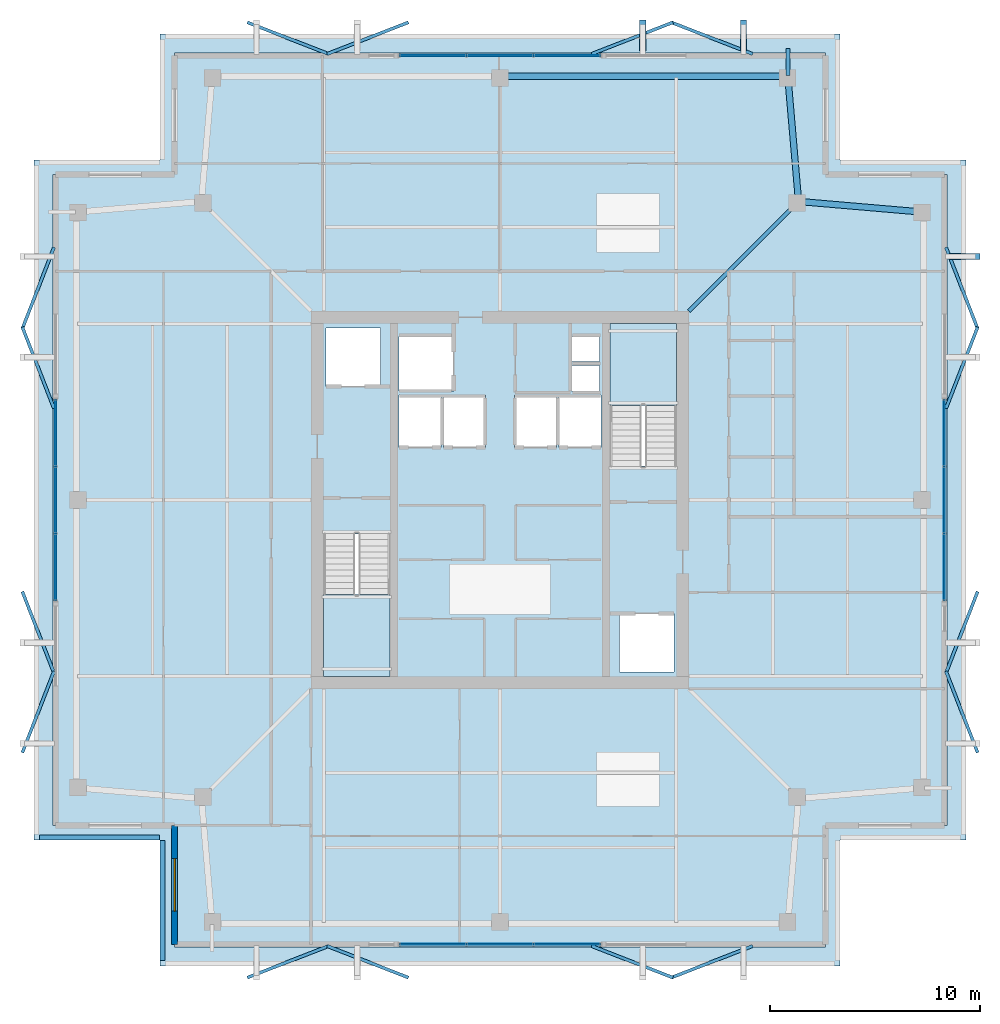
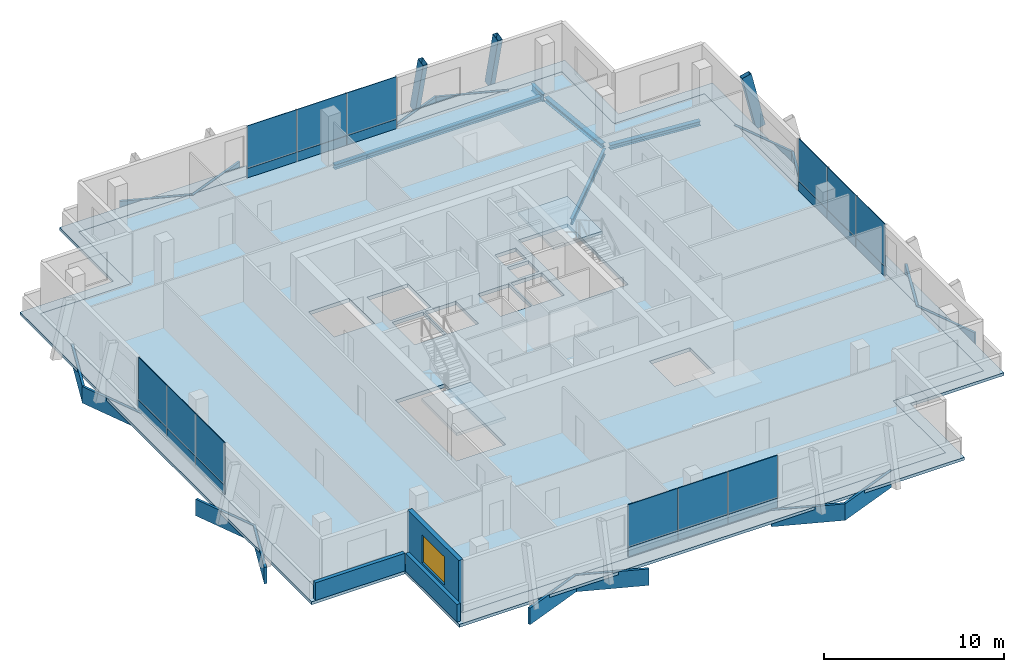
# One storey, part 13 of 18: 40 plates, 5 beams, 4 slabs, 3 members, 3 walls, 1 window, 1 opening, 6 elements without a shape of their own.
"""IFC4 building model written with IfcOpenShell, lengths in metres."""

from ifc_helpers import new_model, si_unit, direction, frame, frame_2d, origin, origin_2d, place, context, subcontext, project, spatial, polyline, rectangle, hollow_rectangle, i_section, outline, extrude, material, layer, layer_set, material_profile, profile_set, type_object, element, fill, aggregate, save


model = new_model("IFC4")

# Units and contexts
model_context = context("Model", 3, precision=1e-05, world=origin(), true_north=direction((0.0, 1.0)))
body_context = subcontext(model_context, "Body", "Model", "MODEL_VIEW")
ifc_project = project(units=[si_unit("LENGTHUNIT", "METRE"), si_unit("AREAUNIT", "SQUARE_METRE"), si_unit("VOLUMEUNIT", "CUBIC_METRE"), si_unit("PLANEANGLEUNIT", "RADIAN"), si_unit("MASSUNIT", "GRAM", prefix="KILO")], contexts=[model_context])

# Site, building, storey
site_placement = place(None, origin())
site = spatial("IfcSite", under=ifc_project, at=site_placement, CompositionType="ELEMENT")
building_placement = place(site_placement, origin())
building = spatial("IfcBuilding", under=site, at=building_placement, Name="Belovzor Exchange Tower", CompositionType="ELEMENT")
storey_placement = place(building_placement, frame((0.0, 0.0, 344.25)))
storey = spatial("IfcBuildingStorey", under=building, at=storey_placement, Name="L86", CompositionType="ELEMENT", Elevation=344.25)

# Beam
ifc_material_1 = material(Name="Steel S355", Category="steel")
ifc_material_profile_1 = material_profile(ifc_material_1, i_section(OverallWidth=0.199951171875, OverallDepth=0.5, WebThickness=0.01025390625, FlangeThickness=0.01611328125, at=origin_2d()))
ifc_profile_set_1 = profile_set([ifc_material_profile_1], Name="Steel S355")
beam_type_1 = type_object("IfcBeamType", Name="Planted Balcony Cantilever Beam IPE 500", PredefinedType="BEAM", material=ifc_profile_set_1)
beam_1_placement = place(storey_placement, frame((42.512939453125, 49.01806640625, -0.489990234375), z_axis=(0.0, 1.0, 0.0), x_axis=(-1.0, 0.0, 0.0)))
element("IfcBeam", 1, at=beam_1_placement, inside=storey, type_object=beam_type_1, Name="BC-500 Planted Balcony Cantilever Beam IPE 500", PredefinedType="BEAM", context=body_context, shape_type="SweptSolid", body=[
    extrude(i_section(OverallWidth=0.199951171875, OverallDepth=0.5, WebThickness=0.01025390625, FlangeThickness=0.01611328125, at=origin_2d()), origin(), (0.0, 0.0, 1.0), 1.281982421875),
])

# Members
ifc_material_2 = material(Name="Extruded Architectural Terracotta on Steel S355 Carrier", Category="masonry")
ifc_material_profile_2 = material_profile(ifc_material_2, hollow_rectangle(XDim=0.300048828125, YDim=0.60009765625, WallThickness=0.01611328125, at=origin_2d()))
ifc_profile_set_2 = profile_set([ifc_material_profile_2], Name="Extruded Architectural Terracotta on Steel S355 Carrier")
member_type = type_object("IfcMemberType", Name="Upper Crown Terracotta Fin Assembly 550", PredefinedType="USERDEFINED", material=ifc_profile_set_2)
for number, where, z_axis, x_axis, name in (
    (2, (35.60009765625, 51.375, -0.239990234375), (0.0, -0.233349008819, 0.972393048146), (1.0, 0.0, 0.0), "FIN-TC055 Terracotta Facade Fin L86 N3"),
    (3, (40.39990234375, 51.375, -0.239990234375), (0.0, -0.233349008819, 0.972393048146), (1.0, 0.0, 0.0), "FIN-TC055 Terracotta Facade Fin L86 N4"),
    (4, (51.375, 40.39990234375, -0.239990234375), (-0.233349008819, 0.0, 0.972393048146), (0.0, -1.0, 0.0), "FIN-TC055 Terracotta Facade Fin L86 E4"),
):
    element("IfcMember", number, at=place(storey_placement, frame(where, z_axis=z_axis, x_axis=x_axis)), inside=storey, type_object=member_type, Name=name, ObjectType="FIN", PredefinedType="USERDEFINED", context=body_context, shape_type="SweptSolid", body=[
        extrude(hollow_rectangle(XDim=0.300048828125, YDim=0.60009765625, WallThickness=0.01611328125, at=origin_2d()), origin(), (0.0, 0.0, 1.0), 3.8564453125),
    ])

# Beams
ifc_material_3 = material(Name="Steel S355", Category="steel")
ifc_material_profile_3 = material_profile(ifc_material_3, i_section(OverallWidth=0.179931640625, OverallDepth=0.39990234375, WebThickness=0.008544921875, FlangeThickness=0.013427734375, at=origin_2d()))
ifc_profile_set_3 = profile_set([ifc_material_profile_3], Name="Steel S355")
beam_type_2 = type_object("IfcBeamType", Name="Zone 5-6 Radial Composite Floor Beam IPE 400", PredefinedType="BEAM", material=ifc_profile_set_3)
beam_2_placement = place(storey_placement, frame((37.800048828125, 37.800048828125, -0.43994140625), z_axis=(0.707106781187, 0.707106781187, 0.0), x_axis=(-0.707106781187, 0.707106781187, 0.0)))
element("IfcBeam", 5, at=beam_2_placement, inside=storey, type_object=beam_type_2, Name="FB-400 Zone 5-6 Radial Composite Floor Beam IPE 400", PredefinedType="BEAM", context=body_context, shape_type="SweptSolid", body=[
    extrude(i_section(OverallWidth=0.179931640625, OverallDepth=0.39990234375, WebThickness=0.008544921875, FlangeThickness=0.013427734375, at=origin_2d()), origin(), (0.0, 0.0, 1.0), 7.103515625),
])
ifc_material_4 = material(Name="Steel S355", Category="steel")
ifc_material_profile_4 = material_profile(ifc_material_4, i_section(OverallWidth=0.300048828125, OverallDepth=0.300048828125, WebThickness=0.008544921875, FlangeThickness=0.013916015625, at=origin_2d()))
ifc_profile_set_4 = profile_set([ifc_material_profile_4], Name="Steel S355")
beam_type_3 = type_object("IfcBeamType", Name="Zone 6 Primary Girder HEA 300", PredefinedType="BEAM", material=ifc_profile_set_4)
for number, where, z_axis, x_axis, name in (
    (6, (48.77490234375, 42.529052734375, -0.389892578125), (-0.996337451618, 0.085508376799, 0.0), (-0.085508376799, -0.996337451618, 0.0), "FG-Z6 Zone 6 Primary Girder HEA 300"),
    (7, (43.00390625, 43.241943359375, -0.389892578125), (-0.085508376799, 0.996337451618, 0.0), (-0.996337451618, -0.085508376799, 0.0), "FG-Z6 Zone 6 Primary Girder HEA 300"),
):
    element("IfcBeam", number, at=place(storey_placement, frame(where, z_axis=z_axis, x_axis=x_axis)), inside=storey, type_object=beam_type_3, Name=name, PredefinedType="BEAM", context=body_context, shape_type="SweptSolid", body=[
        extrude(i_section(OverallWidth=0.300048828125, OverallDepth=0.300048828125, WebThickness=0.008544921875, FlangeThickness=0.013916015625, at=origin_2d()), origin(), (0.0, 0.0, 1.0), 5.55322265625),
    ])
beam_3_placement = place(storey_placement, frame((42.2900390625, 48.993896484375, -0.389892578125), z_axis=(-1.0, 0.0, 0.0), x_axis=(0.0, -1.0, 0.0)))
element("IfcBeam", 8, at=beam_3_placement, inside=storey, type_object=beam_type_3, Name="FG-Z6 Zone 6 Primary Girder HEA 300", PredefinedType="BEAM", context=body_context, shape_type="SweptSolid", body=[
    extrude(i_section(OverallWidth=0.300048828125, OverallDepth=0.300048828125, WebThickness=0.008544921875, FlangeThickness=0.013916015625, at=origin_2d()), origin(), (0.0, 0.0, 1.0), 13.27001953125),
])

# Slab
ifc_material_5 = material(Name="Concrete C40/50", Category="concrete")
ifc_layer_1 = layer(ifc_material_5, 0.239990234375)
ifc_layer_set_1 = layer_set([ifc_layer_1], Name="Concrete C40/50")
slab_type_1 = type_object("IfcSlabType", Name="Composite High-Rise Floor Deck Slab 240", PredefinedType="FLOOR", material=ifc_layer_set_1)
slab_1_placement = place(storey_placement, frame((0.0, 0.0, -0.239990234375)))
element("IfcSlab", 9, at=slab_1_placement, inside=storey, type_object=slab_type_1, Name="SL-F240 Structural Slab L86", PredefinedType="FLOOR", context=body_context, shape_type="SweptSolid", body=[
    extrude(outline(polyline([(13.300048828125, 7.5), (44.300048828125, 7.5), (44.300048828125, 13.300048828125), (50.10009765625, 13.300048828125), (50.10009765625, 44.300048828125), (44.300048828125, 44.300048828125), (44.300048828125, 50.10009765625), (13.300048828125, 50.10009765625), (13.300048828125, 44.300048828125), (7.5, 44.300048828125), (7.5, 13.300048828125), (13.300048828125, 13.300048828125), (13.300048828125, 7.5)]), holes=[polyline([(20.39990234375, 27.175048828125), (20.39990234375, 20.39990234375), (23.550048828125, 20.39990234375), (23.550048828125, 27.175048828125), (20.39990234375, 27.175048828125)]), polyline([(37.199951171875, 30.425048828125), (37.199951171875, 37.199951171875), (34.050048828125, 37.199951171875), (34.050048828125, 30.425048828125), (37.199951171875, 30.425048828125)]), polyline([(20.5, 34.199951171875), (23.10009765625, 34.199951171875), (23.10009765625, 37.0), (20.5, 37.0), (20.5, 34.199951171875)]), polyline([(34.5, 20.60009765625), (37.10009765625, 20.60009765625), (37.10009765625, 23.39990234375), (34.5, 23.39990234375), (34.5, 20.60009765625)]), polyline([(24.0, 34.0), (26.60009765625, 34.0), (26.60009765625, 36.60009765625), (24.0, 36.60009765625), (24.0, 34.0)]), polyline([(24.0, 31.300048828125), (26.0, 31.300048828125), (26.0, 33.800048828125), (24.0, 33.800048828125), (24.0, 31.300048828125)]), polyline([(26.10009765625, 31.300048828125), (28.10009765625, 31.300048828125), (28.10009765625, 33.800048828125), (26.10009765625, 33.800048828125), (26.10009765625, 31.300048828125)]), polyline([(29.5, 31.300048828125), (31.5, 31.300048828125), (31.5, 33.800048828125), (29.5, 33.800048828125), (29.5, 31.300048828125)]), polyline([(31.60009765625, 31.300048828125), (33.60009765625, 31.300048828125), (33.60009765625, 33.800048828125), (31.60009765625, 33.800048828125), (31.60009765625, 31.300048828125)]), polyline([(32.199951171875, 34.0), (33.550048828125, 34.0), (33.550048828125, 35.199951171875), (32.199951171875, 35.199951171875), (32.199951171875, 34.0)]), polyline([(32.199951171875, 35.39990234375), (33.550048828125, 35.39990234375), (33.550048828125, 36.60009765625), (32.199951171875, 36.60009765625), (32.199951171875, 35.39990234375)])]), origin(), (0.0, 0.0, 1.0), 0.239990234375),
])

# Curtain wall, plates
ifc_material_6 = material(Name="Anodised Aluminium Framing", Category="aluminium")
ifc_layer_2 = layer(ifc_material_6, 0.179931640625)
ifc_layer_set_2 = layer_set([ifc_layer_2], Name="Anodised Aluminium Framing")
curtain_wall_type = type_object("IfcCurtainWallType", Name="Recessed Loggia Low-Iron Triple-Glazed Curtain Wall", PredefinedType="NOTDEFINED", material=ifc_layer_set_2)
curtain_wall_1_placement = place(storey_placement, origin())
curtain_wall_1 = element("IfcCurtainWall", 10, at=curtain_wall_1_placement, inside=storey, type_object=curtain_wall_type, Name="CW3 Recessed Loggia Low-Iron Triple-Glazed Curtain Wall L86", PredefinedType="NOTDEFINED")
ifc_material_7 = material(Name="Solar-Control Triple Glazing", Category="glass")
ifc_layer_3 = layer(ifc_material_7, 0.0439453125)
ifc_layer_set_3 = layer_set([ifc_layer_3], Name="Solar-Control Triple Glazing")
plate_type_1 = type_object("IfcPlateType", Name="Insulated Solar Glazing Curtain Panel 44", PredefinedType="CURTAIN_PANEL", material=ifc_layer_set_3)
plate_1_placement = place(storey_placement, frame((32.0, 7.6298828125, 0.634033203125), z_axis=(0.0, 0.0, 1.0), x_axis=(-1.0, 0.0, 0.0)))
plate_1 = element("IfcPlate", 11, at=plate_1_placement, type_object=plate_type_1, Name="GLZ-44 Glazed Curtain Panel 1", PredefinedType="CURTAIN_PANEL", context=body_context, shape_type="SweptSolid", body=[
    extrude(rectangle(XDim=3.18408203125, YDim=0.0439453125, at=origin_2d()), origin(), (0.0, 0.0, 1.0), 2.8759765625),
])
plate_2_placement = place(storey_placement, frame((28.800048828125, 7.6298828125, 0.634033203125), z_axis=(0.0, 0.0, 1.0), x_axis=(-1.0, 0.0, 0.0)))
plate_2 = element("IfcPlate", 12, at=plate_2_placement, type_object=plate_type_1, Name="GLZ-44 Glazed Curtain Panel 2", PredefinedType="CURTAIN_PANEL", context=body_context, shape_type="SweptSolid", body=[
    extrude(rectangle(XDim=3.18408203125, YDim=0.0439453125, at=origin_2d()), origin(), (0.0, 0.0, 1.0), 2.8759765625),
])
plate_3_placement = place(storey_placement, frame((25.60009765625, 7.6298828125, 0.634033203125), z_axis=(0.0, 0.0, 1.0), x_axis=(-1.0, 0.0, 0.0)))
plate_3 = element("IfcPlate", 13, at=plate_3_placement, type_object=plate_type_1, Name="GLZ-44 Glazed Curtain Panel 3", PredefinedType="CURTAIN_PANEL", context=body_context, shape_type="SweptSolid", body=[
    extrude(rectangle(XDim=3.18408203125, YDim=0.0439453125, at=origin_2d()), origin(), (0.0, 0.0, 1.0), 2.8759765625),
])

curtain_wall_2_placement = place(storey_placement, origin())
curtain_wall_2 = element("IfcCurtainWall", 14, at=curtain_wall_2_placement, inside=storey, type_object=curtain_wall_type, Name="CW3 Recessed Loggia Low-Iron Triple-Glazed Curtain Wall L86", PredefinedType="NOTDEFINED")
plate_4_placement = place(storey_placement, frame((25.60009765625, 49.969970703125, 0.634033203125), z_axis=(0.0, 0.0, 1.0), x_axis=(1.0, 0.0, 0.0)))
plate_4 = element("IfcPlate", 15, at=plate_4_placement, type_object=plate_type_1, Name="GLZ-44 Glazed Curtain Panel 1", PredefinedType="CURTAIN_PANEL", context=body_context, shape_type="SweptSolid", body=[
    extrude(rectangle(XDim=3.18408203125, YDim=0.0439453125, at=origin_2d()), origin(), (0.0, 0.0, 1.0), 2.8759765625),
])
plate_5_placement = place(storey_placement, frame((28.800048828125, 49.969970703125, 0.634033203125), z_axis=(0.0, 0.0, 1.0), x_axis=(1.0, 0.0, 0.0)))
plate_5 = element("IfcPlate", 16, at=plate_5_placement, type_object=plate_type_1, Name="GLZ-44 Glazed Curtain Panel 2", PredefinedType="CURTAIN_PANEL", context=body_context, shape_type="SweptSolid", body=[
    extrude(rectangle(XDim=3.18408203125, YDim=0.0439453125, at=origin_2d()), origin(), (0.0, 0.0, 1.0), 2.8759765625),
])
plate_6_placement = place(storey_placement, frame((32.0, 49.969970703125, 0.634033203125), z_axis=(0.0, 0.0, 1.0), x_axis=(1.0, 0.0, 0.0)))
plate_6 = element("IfcPlate", 17, at=plate_6_placement, type_object=plate_type_1, Name="GLZ-44 Glazed Curtain Panel 3", PredefinedType="CURTAIN_PANEL", context=body_context, shape_type="SweptSolid", body=[
    extrude(rectangle(XDim=3.18408203125, YDim=0.0439453125, at=origin_2d()), origin(), (0.0, 0.0, 1.0), 2.8759765625),
])

curtain_wall_3_placement = place(storey_placement, origin())
curtain_wall_3 = element("IfcCurtainWall", 18, at=curtain_wall_3_placement, inside=storey, type_object=curtain_wall_type, Name="CW3 Recessed Loggia Low-Iron Triple-Glazed Curtain Wall L86", PredefinedType="NOTDEFINED")
plate_7_placement = place(storey_placement, frame((7.6298828125, 25.60009765625, 0.634033203125), z_axis=(0.0, 0.0, 1.0), x_axis=(0.0, 1.0, 0.0)))
plate_7 = element("IfcPlate", 19, at=plate_7_placement, type_object=plate_type_1, Name="GLZ-44 Glazed Curtain Panel 1", PredefinedType="CURTAIN_PANEL", context=body_context, shape_type="SweptSolid", body=[
    extrude(rectangle(XDim=3.18408203125, YDim=0.0439453125, at=origin_2d()), origin(), (0.0, 0.0, 1.0), 2.8759765625),
])
plate_8_placement = place(storey_placement, frame((7.6298828125, 28.800048828125, 0.634033203125), z_axis=(0.0, 0.0, 1.0), x_axis=(0.0, 1.0, 0.0)))
plate_8 = element("IfcPlate", 20, at=plate_8_placement, type_object=plate_type_1, Name="GLZ-44 Glazed Curtain Panel 2", PredefinedType="CURTAIN_PANEL", context=body_context, shape_type="SweptSolid", body=[
    extrude(rectangle(XDim=3.18408203125, YDim=0.0439453125, at=origin_2d()), origin(), (0.0, 0.0, 1.0), 2.8759765625),
])
plate_9_placement = place(storey_placement, frame((7.6298828125, 32.0, 0.634033203125), z_axis=(0.0, 0.0, 1.0), x_axis=(0.0, 1.0, 0.0)))
plate_9 = element("IfcPlate", 21, at=plate_9_placement, type_object=plate_type_1, Name="GLZ-44 Glazed Curtain Panel 3", PredefinedType="CURTAIN_PANEL", context=body_context, shape_type="SweptSolid", body=[
    extrude(rectangle(XDim=3.18408203125, YDim=0.0439453125, at=origin_2d()), origin(), (0.0, 0.0, 1.0), 2.8759765625),
])

curtain_wall_4_placement = place(storey_placement, origin())
curtain_wall_4 = element("IfcCurtainWall", 22, at=curtain_wall_4_placement, inside=storey, type_object=curtain_wall_type, Name="CW3 Recessed Loggia Low-Iron Triple-Glazed Curtain Wall L86", PredefinedType="NOTDEFINED")
plate_10_placement = place(storey_placement, frame((49.969970703125, 32.0, 0.634033203125), z_axis=(0.0, 0.0, 1.0), x_axis=(0.0, -1.0, 0.0)))
plate_10 = element("IfcPlate", 23, at=plate_10_placement, type_object=plate_type_1, Name="GLZ-44 Glazed Curtain Panel 1", PredefinedType="CURTAIN_PANEL", context=body_context, shape_type="SweptSolid", body=[
    extrude(rectangle(XDim=3.18408203125, YDim=0.0439453125, at=origin_2d()), origin(), (0.0, 0.0, 1.0), 2.8759765625),
])
plate_11_placement = place(storey_placement, frame((49.969970703125, 28.800048828125, 0.634033203125), z_axis=(0.0, 0.0, 1.0), x_axis=(0.0, -1.0, 0.0)))
plate_11 = element("IfcPlate", 24, at=plate_11_placement, type_object=plate_type_1, Name="GLZ-44 Glazed Curtain Panel 2", PredefinedType="CURTAIN_PANEL", context=body_context, shape_type="SweptSolid", body=[
    extrude(rectangle(XDim=3.18408203125, YDim=0.0439453125, at=origin_2d()), origin(), (0.0, 0.0, 1.0), 2.8759765625),
])
plate_12_placement = place(storey_placement, frame((49.969970703125, 25.60009765625, 0.634033203125), z_axis=(0.0, 0.0, 1.0), x_axis=(0.0, -1.0, 0.0)))
plate_12 = element("IfcPlate", 25, at=plate_12_placement, type_object=plate_type_1, Name="GLZ-44 Glazed Curtain Panel 3", PredefinedType="CURTAIN_PANEL", context=body_context, shape_type="SweptSolid", body=[
    extrude(rectangle(XDim=3.18408203125, YDim=0.0439453125, at=origin_2d()), origin(), (0.0, 0.0, 1.0), 2.8759765625),
])

# Stair, slab
ifc_material_8 = material(Name="Concrete C40/50", Category="concrete")
stair_type = type_object("IfcStairType", Name="Reinforced Concrete Dogleg Escape Stair 1350", PredefinedType="HALF_TURN_STAIR", material=ifc_material_8)
stair_1_placement = place(storey_placement, origin())
stair_1 = element("IfcStair", 26, at=stair_1_placement, inside=storey, type_object=stair_type, Name="L86 ST-1", PredefinedType="HALF_TURN_STAIR")
ifc_material_9 = material(Name="Concrete C40/50", Category="concrete")
ifc_layer_4 = layer(ifc_material_9, 0.199951171875)
ifc_layer_set_4 = layer_set([ifc_layer_4], Name="Concrete C40/50")
slab_type_2 = type_object("IfcSlabType", Name="Reinforced Concrete Stair Half-Landing Slab 200", PredefinedType="LANDING", material=ifc_layer_set_4)
slab_2_placement = place(storey_placement, frame((0.0, 0.0, 1.675048828125)))
slab_2 = element("IfcSlab", 27, at=slab_2_placement, type_object=slab_type_2, Name="ST-1 landing 1", PredefinedType="LANDING", context=body_context, shape_type="SweptSolid", body=[
    extrude(outline(polyline([(20.39990234375, 24.300048828125), (20.39990234375, 20.39990234375), (23.550048828125, 20.39990234375), (23.550048828125, 24.300048828125), (20.39990234375, 24.300048828125)])), origin(), (0.0, 0.0, 1.0), 0.199951171875),
])
aggregate(stair_1, [slab_2])

stair_2_placement = place(storey_placement, origin())
stair_2 = element("IfcStair", 28, at=stair_2_placement, inside=storey, type_object=stair_type, Name="L86 ST-2", PredefinedType="HALF_TURN_STAIR")
slab_3_placement = place(storey_placement, frame((0.0, 0.0, 1.675048828125)))
slab_3 = element("IfcSlab", 29, at=slab_3_placement, type_object=slab_type_2, Name="ST-2 landing 1", PredefinedType="LANDING", context=body_context, shape_type="SweptSolid", body=[
    extrude(outline(polyline([(37.199951171875, 33.300048828125), (37.199951171875, 37.199951171875), (34.050048828125, 37.199951171875), (34.050048828125, 33.300048828125), (37.199951171875, 33.300048828125)])), origin(), (0.0, 0.0, 1.0), 0.199951171875),
])
aggregate(stair_2, [slab_3])

# Slab
ifc_material_10 = material(Name="Concrete C40/50", Category="concrete")
ifc_layer_5 = layer(ifc_material_10, 0.199951171875)
ifc_layer_set_5 = layer_set([ifc_layer_5], Name="Concrete C40/50")
slab_type_3 = type_object("IfcSlabType", Name="Setback Weathering Roof Ring Slab 200", PredefinedType="ROOF", material=ifc_layer_set_5)
slab_4_placement = place(storey_placement, frame((0.0, 0.0, -0.199951171875)))
element("IfcSlab", 30, at=slab_4_placement, inside=storey, type_object=slab_type_3, Name="SL-RF200A Setback Weathering Roof Ring L85", PredefinedType="ROOF", context=body_context, shape_type="SweptSolid", body=[
    extrude(outline(polyline([(12.60009765625, 6.60009765625), (45.0, 6.60009765625), (45.0, 12.60009765625), (51.0, 12.60009765625), (51.0, 45.0), (45.0, 45.0), (45.0, 51.0), (12.60009765625, 51.0), (12.60009765625, 45.0), (6.60009765625, 45.0), (6.60009765625, 12.60009765625), (12.60009765625, 12.60009765625), (12.60009765625, 6.60009765625)]), holes=[polyline([(13.300048828125, 7.5), (44.300048828125, 7.5), (44.300048828125, 13.300048828125), (50.10009765625, 13.300048828125), (50.10009765625, 44.300048828125), (44.300048828125, 44.300048828125), (44.300048828125, 50.10009765625), (13.300048828125, 50.10009765625), (13.300048828125, 44.300048828125), (7.5, 44.300048828125), (7.5, 13.300048828125), (13.300048828125, 13.300048828125), (13.300048828125, 7.5)])]), origin(), (0.0, 0.0, 1.0), 0.199951171875),
])

# Plate
ifc_material_11 = material(Name="Extruded Architectural Terracotta", Category="masonry")
ifc_layer_6 = layer(ifc_material_11, 0.090087890625)
ifc_layer_set_6 = layer_set([ifc_layer_6], Name="Extruded Architectural Terracotta")
plate_type_2 = type_object("IfcPlateType", Name="Terracotta Shadow-Box Spandrel Panel 90", PredefinedType="CURTAIN_PANEL", material=ifc_layer_set_6)
plate_13_placement = place(storey_placement, frame((32.0, 7.6298828125, 0.0), z_axis=(0.0, 0.0, 1.0), x_axis=(-1.0, 0.0, 0.0)))
plate_13 = element("IfcPlate", 31, at=plate_13_placement, type_object=plate_type_2, Name="SPD-90 Spandrel Panel 1", PredefinedType="CURTAIN_PANEL", context=body_context, shape_type="SweptSolid", body=[
    extrude(rectangle(XDim=3.18408203125, YDim=0.090087890625, at=origin_2d()), origin(), (0.0, 0.0, 1.0), 0.6298828125),
])

plate_14_placement = place(storey_placement, frame((28.800048828125, 7.6298828125, 0.0), z_axis=(0.0, 0.0, 1.0), x_axis=(-1.0, 0.0, 0.0)))
plate_14 = element("IfcPlate", 32, at=plate_14_placement, type_object=plate_type_2, Name="SPD-90 Spandrel Panel 2", PredefinedType="CURTAIN_PANEL", context=body_context, shape_type="SweptSolid", body=[
    extrude(rectangle(XDim=3.18408203125, YDim=0.090087890625, at=origin_2d()), origin(), (0.0, 0.0, 1.0), 0.6298828125),
])

plate_15_placement = place(storey_placement, frame((25.60009765625, 7.6298828125, 0.0), z_axis=(0.0, 0.0, 1.0), x_axis=(-1.0, 0.0, 0.0)))
plate_15 = element("IfcPlate", 33, at=plate_15_placement, type_object=plate_type_2, Name="SPD-90 Spandrel Panel 3", PredefinedType="CURTAIN_PANEL", context=body_context, shape_type="SweptSolid", body=[
    extrude(rectangle(XDim=3.18408203125, YDim=0.090087890625, at=origin_2d()), origin(), (0.0, 0.0, 1.0), 0.6298828125),
])

aggregate(curtain_wall_1, [plate_13, plate_1, plate_14, plate_2, plate_15, plate_3])

plate_16_placement = place(storey_placement, frame((25.60009765625, 49.969970703125, 0.0), z_axis=(0.0, 0.0, 1.0), x_axis=(1.0, 0.0, 0.0)))
plate_16 = element("IfcPlate", 34, at=plate_16_placement, type_object=plate_type_2, Name="SPD-90 Spandrel Panel 1", PredefinedType="CURTAIN_PANEL", context=body_context, shape_type="SweptSolid", body=[
    extrude(rectangle(XDim=3.18408203125, YDim=0.090087890625, at=origin_2d()), origin(), (0.0, 0.0, 1.0), 0.6298828125),
])

plate_17_placement = place(storey_placement, frame((28.800048828125, 49.969970703125, 0.0), z_axis=(0.0, 0.0, 1.0), x_axis=(1.0, 0.0, 0.0)))
plate_17 = element("IfcPlate", 35, at=plate_17_placement, type_object=plate_type_2, Name="SPD-90 Spandrel Panel 2", PredefinedType="CURTAIN_PANEL", context=body_context, shape_type="SweptSolid", body=[
    extrude(rectangle(XDim=3.18408203125, YDim=0.090087890625, at=origin_2d()), origin(), (0.0, 0.0, 1.0), 0.6298828125),
])

plate_18_placement = place(storey_placement, frame((32.0, 49.969970703125, 0.0), z_axis=(0.0, 0.0, 1.0), x_axis=(1.0, 0.0, 0.0)))
plate_18 = element("IfcPlate", 36, at=plate_18_placement, type_object=plate_type_2, Name="SPD-90 Spandrel Panel 3", PredefinedType="CURTAIN_PANEL", context=body_context, shape_type="SweptSolid", body=[
    extrude(rectangle(XDim=3.18408203125, YDim=0.090087890625, at=origin_2d()), origin(), (0.0, 0.0, 1.0), 0.6298828125),
])

aggregate(curtain_wall_2, [plate_16, plate_4, plate_17, plate_5, plate_18, plate_6])

plate_19_placement = place(storey_placement, frame((7.6298828125, 25.60009765625, 0.0), z_axis=(0.0, 0.0, 1.0), x_axis=(0.0, 1.0, 0.0)))
plate_19 = element("IfcPlate", 37, at=plate_19_placement, type_object=plate_type_2, Name="SPD-90 Spandrel Panel 1", PredefinedType="CURTAIN_PANEL", context=body_context, shape_type="SweptSolid", body=[
    extrude(rectangle(XDim=3.18408203125, YDim=0.090087890625, at=origin_2d()), origin(), (0.0, 0.0, 1.0), 0.6298828125),
])

plate_20_placement = place(storey_placement, frame((7.6298828125, 28.800048828125, 0.0), z_axis=(0.0, 0.0, 1.0), x_axis=(0.0, 1.0, 0.0)))
plate_20 = element("IfcPlate", 38, at=plate_20_placement, type_object=plate_type_2, Name="SPD-90 Spandrel Panel 2", PredefinedType="CURTAIN_PANEL", context=body_context, shape_type="SweptSolid", body=[
    extrude(rectangle(XDim=3.18408203125, YDim=0.090087890625, at=origin_2d()), origin(), (0.0, 0.0, 1.0), 0.6298828125),
])

plate_21_placement = place(storey_placement, frame((7.6298828125, 32.0, 0.0), z_axis=(0.0, 0.0, 1.0), x_axis=(0.0, 1.0, 0.0)))
plate_21 = element("IfcPlate", 39, at=plate_21_placement, type_object=plate_type_2, Name="SPD-90 Spandrel Panel 3", PredefinedType="CURTAIN_PANEL", context=body_context, shape_type="SweptSolid", body=[
    extrude(rectangle(XDim=3.18408203125, YDim=0.090087890625, at=origin_2d()), origin(), (0.0, 0.0, 1.0), 0.6298828125),
])

aggregate(curtain_wall_3, [plate_19, plate_7, plate_20, plate_8, plate_21, plate_9])

plate_22_placement = place(storey_placement, frame((49.969970703125, 32.0, 0.0), z_axis=(0.0, 0.0, 1.0), x_axis=(0.0, -1.0, 0.0)))
plate_22 = element("IfcPlate", 40, at=plate_22_placement, type_object=plate_type_2, Name="SPD-90 Spandrel Panel 1", PredefinedType="CURTAIN_PANEL", context=body_context, shape_type="SweptSolid", body=[
    extrude(rectangle(XDim=3.18408203125, YDim=0.090087890625, at=origin_2d()), origin(), (0.0, 0.0, 1.0), 0.6298828125),
])

plate_23_placement = place(storey_placement, frame((49.969970703125, 28.800048828125, 0.0), z_axis=(0.0, 0.0, 1.0), x_axis=(0.0, -1.0, 0.0)))
plate_23 = element("IfcPlate", 41, at=plate_23_placement, type_object=plate_type_2, Name="SPD-90 Spandrel Panel 2", PredefinedType="CURTAIN_PANEL", context=body_context, shape_type="SweptSolid", body=[
    extrude(rectangle(XDim=3.18408203125, YDim=0.090087890625, at=origin_2d()), origin(), (0.0, 0.0, 1.0), 0.6298828125),
])

plate_24_placement = place(storey_placement, frame((49.969970703125, 25.60009765625, 0.0), z_axis=(0.0, 0.0, 1.0), x_axis=(0.0, -1.0, 0.0)))
plate_24 = element("IfcPlate", 42, at=plate_24_placement, type_object=plate_type_2, Name="SPD-90 Spandrel Panel 3", PredefinedType="CURTAIN_PANEL", context=body_context, shape_type="SweptSolid", body=[
    extrude(rectangle(XDim=3.18408203125, YDim=0.090087890625, at=origin_2d()), origin(), (0.0, 0.0, 1.0), 0.6298828125),
])

aggregate(curtain_wall_4, [plate_22, plate_10, plate_23, plate_11, plate_24, plate_12])

# Plates
ifc_material_12 = material(Name="Extruded Architectural Terracotta", Category="masonry")
ifc_layer_7 = layer(ifc_material_12, 0.14990234375)
ifc_layer_set_7 = layer_set([ifc_layer_7], Name="Extruded Architectural Terracotta")
plate_type_3 = type_object("IfcPlateType", Name="Upper-Crown Deep Folded Zigzag Terracotta Spandrel Louvre 150", PredefinedType="USERDEFINED", material=ifc_layer_set_7)
for number, where, z_axis, x_axis, name in (
    (43, (18.699951171875, 6.800048828125, -1.10498046875), (0.0, 0.0, 1.0), (0.931817969421, 0.362925986758, 0.0), "LVR-ZZ3 Zigzag Terracotta Spandrel Louvre L86 S1A"),
    (44, (22.5, 6.800048828125, -1.10498046875), (0.0, 0.0, 1.0), (0.931817969421, -0.362925986758, 0.0), "LVR-ZZ3 Zigzag Terracotta Spandrel Louvre L86 S1B"),
    (45, (18.699951171875, 50.800048828125, -1.10498046875), (0.0, 0.0, 1.0), (0.931817969421, -0.362925986758, 0.0), "LVR-ZZ3 Zigzag Terracotta Spandrel Louvre L86 N1A"),
    (46, (22.5, 50.800048828125, -1.10498046875), (0.0, 0.0, 1.0), (0.931817969421, 0.362925986758, 0.0), "LVR-ZZ3 Zigzag Terracotta Spandrel Louvre L86 N1B"),
    (47, (6.800048828125, 18.699951171875, -1.10498046875), (0.0, 0.0, 1.0), (0.362925986758, 0.931817969421, 0.0), "LVR-ZZ3 Zigzag Terracotta Spandrel Louvre L86 W1A"),
    (48, (6.800048828125, 22.5, -1.10498046875), (0.0, 0.0, 1.0), (-0.362925986758, 0.931817969421, 0.0), "LVR-ZZ3 Zigzag Terracotta Spandrel Louvre L86 W1B"),
    (49, (50.800048828125, 18.699951171875, -1.10498046875), (0.0, 0.0, 1.0), (-0.362925986758, 0.931817969421, 0.0), "LVR-ZZ3 Zigzag Terracotta Spandrel Louvre L86 E1A"),
    (50, (50.800048828125, 22.5, -1.10498046875), (0.0, 0.0, 1.0), (0.362925986758, 0.931817969421, 0.0), "LVR-ZZ3 Zigzag Terracotta Spandrel Louvre L86 E1B"),
    (51, (35.10009765625, 6.800048828125, -1.10498046875), (0.0, 0.0, 1.0), (0.931817969421, -0.362925986758, 0.0), "LVR-ZZ3 Zigzag Terracotta Spandrel Louvre L86 S2A"),
    (52, (38.89990234375, 6.800048828125, -1.10498046875), (0.0, 0.0, 1.0), (0.931817969421, 0.362925986758, 0.0), "LVR-ZZ3 Zigzag Terracotta Spandrel Louvre L86 S2B"),
    (53, (35.10009765625, 50.800048828125, -1.10498046875), (0.0, 0.0, 1.0), (0.931817969421, 0.362925986758, 0.0), "LVR-ZZ3 Zigzag Terracotta Spandrel Louvre L86 N2A"),
    (54, (38.89990234375, 50.800048828125, -1.10498046875), (0.0, 0.0, 1.0), (0.931817969421, -0.362925986758, 0.0), "LVR-ZZ3 Zigzag Terracotta Spandrel Louvre L86 N2B"),
    (55, (6.800048828125, 35.10009765625, -1.10498046875), (0.0, 0.0, 1.0), (-0.362925986758, 0.931817969421, 0.0), "LVR-ZZ3 Zigzag Terracotta Spandrel Louvre L86 W2A"),
    (56, (6.800048828125, 38.89990234375, -1.10498046875), (0.0, 0.0, 1.0), (0.362925986758, 0.931817969421, 0.0), "LVR-ZZ3 Zigzag Terracotta Spandrel Louvre L86 W2B"),
    (57, (50.800048828125, 35.10009765625, -1.10498046875), (0.0, 0.0, 1.0), (0.362925986758, 0.931817969421, 0.0), "LVR-ZZ3 Zigzag Terracotta Spandrel Louvre L86 E2A"),
    (58, (50.800048828125, 38.89990234375, -1.10498046875), (0.0, 0.0, 1.0), (-0.362925986758, 0.931817969421, 0.0), "LVR-ZZ3 Zigzag Terracotta Spandrel Louvre L86 E2B"),
):
    element("IfcPlate", number, at=place(storey_placement, frame(where, z_axis=z_axis, x_axis=x_axis)), inside=storey, type_object=plate_type_3, Name=name, ObjectType="SPANDREL_LOUVRE", PredefinedType="USERDEFINED", context=body_context, shape_type="SweptSolid", body=[
        extrude(rectangle(XDim=4.157958984375, YDim=0.14990234375, at=origin_2d()), origin(), (0.0, 0.0, 1.0), 1.1201171875),
    ])

# Wall, opening, window
ifc_material_13 = material(Name="Precast concrete C40/50", Category="concrete")
ifc_layer_8 = layer(ifc_material_13, 0.280029296875)
ifc_layer_set_8 = layer_set([ifc_layer_8], Name="Precast concrete C40/50")
wall_type_1 = type_object("IfcWallType", Name="Precast Concrete Notched Corner Frame Wall 280", PredefinedType="SOLIDWALL", material=ifc_layer_set_8)
wall_placement = place(storey_placement, frame((13.300048828125, 7.6298828125, 0.0), z_axis=(0.0, 0.0, 1.0), x_axis=(0.0, 1.0, 0.0)))
wall = element("IfcWall", 59, at=wall_placement, inside=storey, type_object=wall_type_1, Name="W-CRN280 Precast Concrete Notched Corner Frame Wall 280 L86", PredefinedType="SOLIDWALL", context=body_context, shape_type="SweptSolid", body=[
    extrude(rectangle(XDim=5.670166015625, YDim=0.280029296875, at=frame_2d((2.8349609375, 0.0))), origin(), (0.0, 0.0, 1.0), 3.510009765625),
])
opening_placement = place(wall_placement, frame((1.5849609375, 0.0, 0.89990234375)))
opening = element("IfcOpeningElement", 60, at=opening_placement, cuts=wall, Name="Opening WN-CRN250", PredefinedType="OPENING", context=body_context, shape_type="SweptSolid", body=[
    extrude(rectangle(XDim=2.5, YDim=1.89990234375, at=frame_2d((1.25, 0.949951171875))), frame((0.0, 0.14990234375, 0.0), z_axis=(0.0, -1.0, 0.0), x_axis=(1.0, 0.0, 0.0)), (0.0, 0.0, 1.0), 0.300048828125),
])
ifc_material_14 = material(Name="Thermally Broken Aluminium and Triple Glazing", Category="aluminium")
window_type = type_object("IfcWindowType", Name="Streamline Moderne Corner Wrap Ribbon Window 2500x1900", PartitioningType="SINGLE_PANEL", PredefinedType="WINDOW", material=ifc_material_14)
window_placement = place(opening_placement, origin())
window = element("IfcWindow", 61, at=window_placement, inside=storey, type_object=window_type, Name="WN-CRN250 Streamline Moderne Corner Wrap Ribbon Window 2500x1900", OverallHeight=1.89990234375, OverallWidth=2.5, PartitioningType="SINGLE_PANEL", PredefinedType="WINDOW", context=body_context, shape_type="SweptSolid", body=[
    extrude(rectangle(XDim=2.5, YDim=1.89990234375, at=frame_2d((1.25, 0.949951171875))), frame((0.0, 0.030029296875, 0.0), z_axis=(0.0, -1.0, 0.0), x_axis=(1.0, 0.0, 0.0)), (0.0, 0.0, 1.0), 0.06005859375),
])
fill(opening, window)

# Walls
ifc_material_15 = material(Name="Precast concrete C40/50", Category="concrete")
ifc_layer_9 = layer(ifc_material_15, 0.239990234375)
ifc_layer_set_9 = layer_set([ifc_layer_9], Name="Precast concrete C40/50")
wall_type_2 = type_object("IfcWallType", Name="Precast Stone Setback Roof Parapet Wall 240", PredefinedType="PARAPET", material=ifc_layer_set_9)
for number, where, z_axis, x_axis, name in (
    (62, (6.85498046875, 12.719970703125, 0.0), (0.0, 0.0, 1.0), (1.0, 0.0, 0.0), "W-PAR240 Precast Stone Setback Roof Parapet Wall 240 L86"),
    (63, (12.719970703125, 12.5849609375, 0.0), (0.0, 0.0, 1.0), (0.0, -1.0, 0.0), "W-PAR240 Precast Stone Setback Roof Parapet Wall 240 L86"),
):
    element("IfcWall", number, at=place(storey_placement, frame(where, z_axis=z_axis, x_axis=x_axis)), inside=storey, type_object=wall_type_2, Name=name, PredefinedType="PARAPET", context=body_context, shape_type="SweptSolid", body=[
        extrude(rectangle(XDim=5.72998046875, YDim=0.239990234375, at=frame_2d((2.864990234375, 0.0))), origin(), (0.0, 0.0, 1.0), 1.199951171875),
    ])

save(model, "model.ifc")
